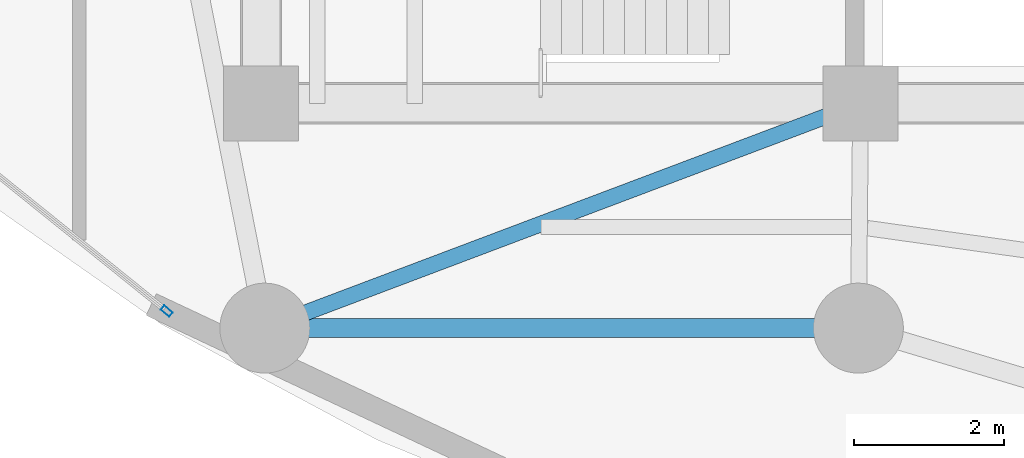
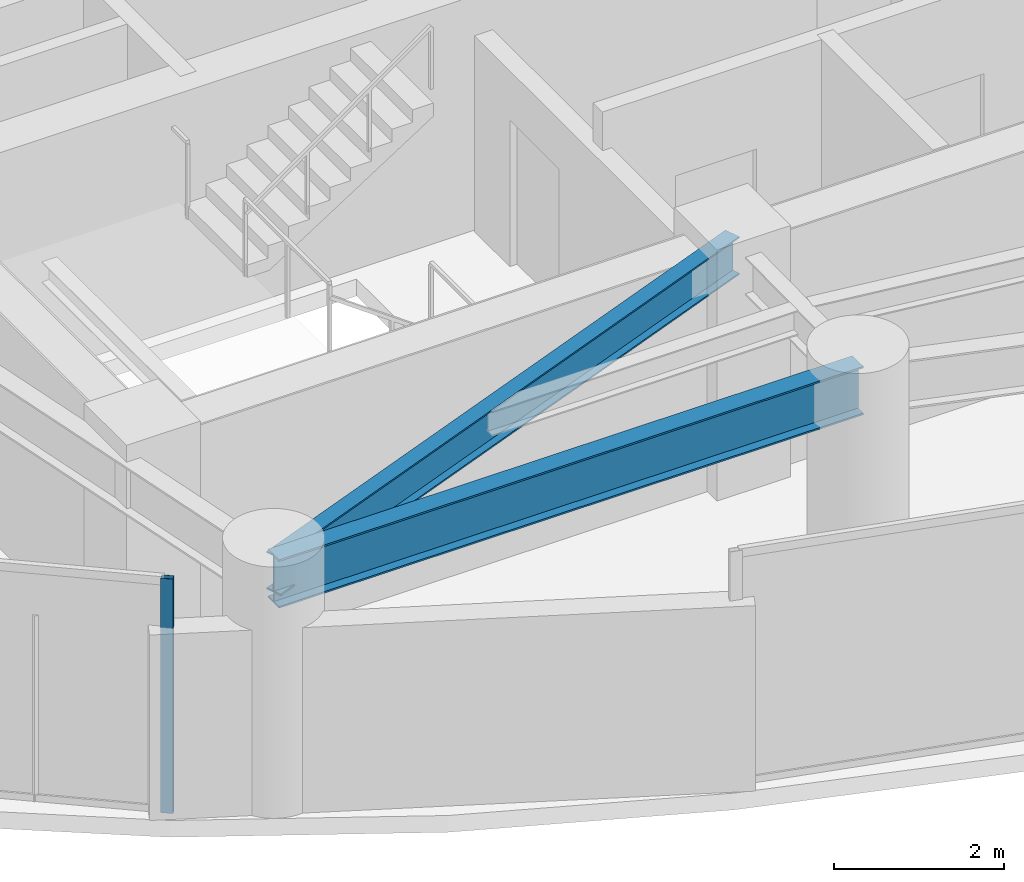
# One storey, part 2 of 33: 2 beams, 1 member, 1 element without a shape of its own.
"""IFC4 building model written with IfcOpenShell, lengths in metres."""

from ifc_helpers import new_model, si_unit, direction, frame, origin, origin_2d, place, context, subcontext, project, spatial, hollow_rectangle, i_section, extrude, material, layer, layer_set, material_profile, profile_set, type_object, element, aggregate, save


model = new_model("IFC4")

# Units and contexts
model_context = context("Model", 3, precision=1e-05, world=origin(), true_north=direction((0.0, 1.0)))
body_context = subcontext(model_context, "Body", "Model", "MODEL_VIEW")
ifc_project = project(units=[si_unit("LENGTHUNIT", "METRE"), si_unit("AREAUNIT", "SQUARE_METRE"), si_unit("VOLUMEUNIT", "CUBIC_METRE"), si_unit("PLANEANGLEUNIT", "RADIAN"), si_unit("MASSUNIT", "GRAM", prefix="KILO")], contexts=[model_context])

# Site, building, storey
site_placement = place(None, origin())
site = spatial("IfcSite", under=ifc_project, at=site_placement, CompositionType="ELEMENT")
building_placement = place(site_placement, origin())
building = spatial("IfcBuilding", under=site, at=building_placement, Name="Kazevale Care Tower and Concert Hall", CompositionType="ELEMENT")
storey_placement = place(building_placement, frame((0.0, 0.0, 153.0)))
storey = spatial("IfcBuildingStorey", under=building, at=storey_placement, Name="L40", CompositionType="ELEMENT", Elevation=153.0)

# Curtain wall, member
ifc_material_1 = material(Name="Aluminium 6063-T6 and Low-E Glass", Category="aluminium")
ifc_layer = layer(ifc_material_1, 0.179931640625)
ifc_layer_set = layer_set([ifc_layer], Name="Aluminium 6063-T6 and Low-E Glass")
curtain_wall_type = type_object("IfcCurtainWallType", Name="Sheltered Concave Balcony Curtain Wall CW-5", PredefinedType="NOTDEFINED", material=ifc_layer_set)
curtain_wall_placement = place(storey_placement, origin())
curtain_wall = element("IfcCurtainWall", 1, at=curtain_wall_placement, inside=storey, type_object=curtain_wall_type, Name="cw:L40:f10", PredefinedType="NOTDEFINED")
ifc_material_2 = material(Name="Aluminium 6063-T6", Category="aluminium")
ifc_material_profile_1 = material_profile(ifc_material_2, hollow_rectangle(XDim=0.074951171875, YDim=0.14990234375, WallThickness=0.00390625, at=origin_2d()), Name="ALU75x150x4")
ifc_profile_set_1 = profile_set([ifc_material_profile_1], Name="Aluminium 6063-T6")
member_type = type_object("IfcMemberType", Name="CW-5 Mullion ALU75x150x4", PredefinedType="MULLION", material=ifc_profile_set_1)
member_placement = place(storey_placement, frame((20.74072265625, 20.826416015625, 0.0), z_axis=(0.0, 0.0, 1.0), x_axis=(-0.626905357502, -0.779095419531, 0.0)))
member = element("IfcMember", 2, at=member_placement, type_object=member_type, Name="CW-5 mullion 1", PredefinedType="MULLION", context=body_context, shape_type="SweptSolid", body=[
    extrude(hollow_rectangle(XDim=0.074951171875, YDim=0.14990234375, WallThickness=0.00390625, at=origin_2d()), origin(), (0.0, 0.0, 1.0), 3.360107421875),
])
aggregate(curtain_wall, [member])

# Beams
ifc_material_3 = material(Name="Steel ASTM A572 Gr 50", Category="steel")
ifc_material_profile_2 = material_profile(ifc_material_3, i_section(OverallWidth=0.2119140625, OverallDepth=0.5439453125, WebThickness=0.01318359375, FlangeThickness=0.021240234375, at=origin_2d()), Name="W530x123")
ifc_profile_set_2 = profile_set([ifc_material_profile_2], Name="Steel ASTM A572 Gr 50")
beam_type_1 = type_object("IfcBeamType", Name="Radial Floor Girder W530x123", PredefinedType="BEAM", material=ifc_profile_set_2)
beam_1_placement = place(storey_placement, frame((30.0, 23.60009765625, 3.087890625), z_axis=(-0.935601002663, -0.353059150592, 0.0), x_axis=(0.353059150592, -0.935601002663, 0.0)))
element("IfcBeam", 3, at=beam_1_placement, inside=storey, type_object=beam_type_1, Name="beam:L40:rad:10", PredefinedType="BEAM", context=body_context, shape_type="SweptSolid", body=[
    extrude(i_section(OverallWidth=0.2119140625, OverallDepth=0.5439453125, WebThickness=0.01318359375, FlangeThickness=0.021240234375, at=origin_2d()), origin(), (0.0, 0.0, 1.0), 8.4970703125),
])
ifc_material_profile_3 = material_profile(ifc_material_3, i_section(OverallWidth=0.256103515625, OverallDepth=0.693115234375, WebThickness=0.014404296875, FlangeThickness=0.023681640625, at=origin_2d()), Name="W690x170")
ifc_profile_set_3 = profile_set([ifc_material_profile_3], Name="Steel ASTM A572 Gr 50")
beam_type_2 = type_object("IfcBeamType", Name="Waist Ring Beam W690x170", PredefinedType="BEAM", material=ifc_profile_set_3)
beam_2_placement = place(storey_placement, frame((22.050048828125, 20.60009765625, 3.013427734375), z_axis=(1.0, 0.0, 0.0), x_axis=(0.0, 1.0, 0.0)))
element("IfcBeam", 4, at=beam_2_placement, inside=storey, type_object=beam_type_2, Name="beam:L40:ring:10", PredefinedType="BEAM", context=body_context, shape_type="SweptSolid", body=[
    extrude(i_section(OverallWidth=0.256103515625, OverallDepth=0.693115234375, WebThickness=0.014404296875, FlangeThickness=0.023681640625, at=origin_2d()), origin(), (0.0, 0.0, 1.0), 7.919921875),
])

save(model, "model.ifc")
